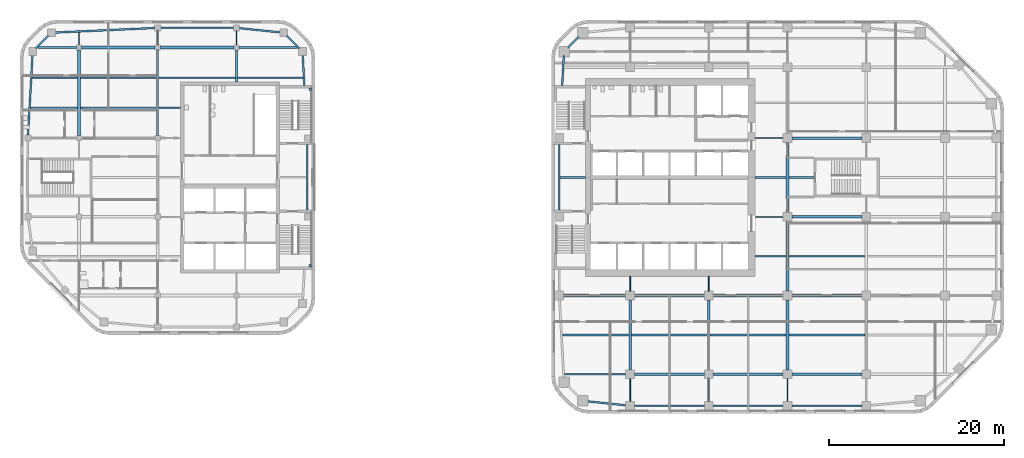
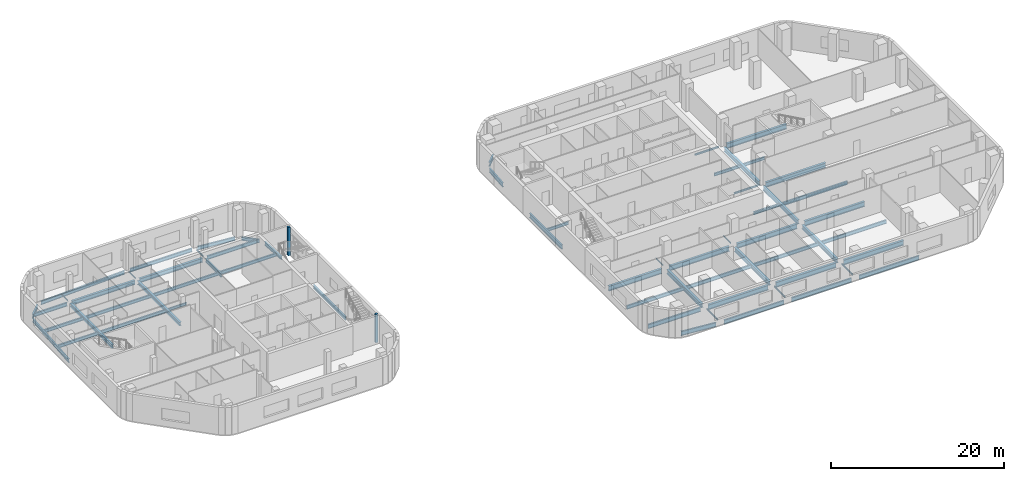
# One storey, part 2 of 15: 63 beams, 2 members.
"""IFC4 building model written with IfcOpenShell, lengths in metres."""

from ifc_helpers import new_model, si_unit, direction, frame, origin, origin_2d, place, context, subcontext, project, spatial, rectangle, i_section, extrude, material, material_profile, profile_set, type_object, element, save


model = new_model("IFC4")

# Units and contexts
model_context = context("Model", 3, precision=1e-05, world=origin(), true_north=direction((0.0, 1.0)))
body_context = subcontext(model_context, "Body", "Model", "MODEL_VIEW")
ifc_project = project(units=[si_unit("LENGTHUNIT", "METRE"), si_unit("AREAUNIT", "SQUARE_METRE"), si_unit("VOLUMEUNIT", "CUBIC_METRE"), si_unit("PLANEANGLEUNIT", "RADIAN"), si_unit("MASSUNIT", "GRAM", prefix="KILO")], contexts=[model_context])

# Site, building, storey
site_placement = place(None, origin())
site = spatial("IfcSite", under=ifc_project, at=site_placement, CompositionType="ELEMENT")
building_placement = place(site_placement, origin())
building = spatial("IfcBuilding", under=site, at=building_placement, Name="Cinnabar Reach Civic Tower", CompositionType="ELEMENT")
storey_placement = place(building_placement, frame((0.0, 0.0, 120.0)))
storey = spatial("IfcBuildingStorey", under=building, at=storey_placement, Name="L28", CompositionType="ELEMENT", Elevation=120.0)

# Beams
ifc_material_1 = material(Name="Steel Q355B", Category="steel")
ifc_material_profile_1 = material_profile(ifc_material_1, i_section(OverallWidth=0.3, OverallDepth=0.488, WebThickness=0.011, FlangeThickness=0.018, FilletRadius=0.016, at=origin_2d()), Name="HM488x300x11x18")
ifc_profile_set_1 = profile_set([ifc_material_profile_1], Name="Steel Q355B")
beam_type_1 = type_object("IfcBeamType", Name="HM488x300x11x18 beam R 120", PredefinedType="BEAM", material=ifc_profile_set_1)
for number, where, z_axis, x_axis, name in (
    (1, (-54.0, 36.302, -0.394), (0.0, 1.0, 0.0), (-1.0, 0.0, 0.0), "Girder T2 L28 4"),
    (2, (-45.0, 36.302, -0.394), (0.0, 1.0, 0.0), (-1.0, 0.0, 0.0), "Girder T2 L28 9"),
):
    element("IfcBeam", number, at=place(storey_placement, frame(where, z_axis=z_axis, x_axis=x_axis)), inside=storey, type_object=beam_type_1, Name=name, PredefinedType="BEAM", context=body_context, shape_type="SweptSolid", body=[
        extrude(i_section(OverallWidth=0.3, OverallDepth=0.488, WebThickness=0.011, FlangeThickness=0.018, FilletRadius=0.016, at=origin_2d()), origin(), (0.0, 0.0, 1.0), 9.746),
    ])
ifc_material_profile_2 = material_profile(ifc_material_1, i_section(OverallWidth=0.3, OverallDepth=0.588, WebThickness=0.012, FlangeThickness=0.02, FilletRadius=0.016, at=origin_2d()), Name="HM588x300x12x20")
ifc_profile_set_2 = profile_set([ifc_material_profile_2], Name="Steel Q355B")
beam_type_2 = type_object("IfcBeamType", Name="HM588x300x12x20 beam R 120", PredefinedType="BEAM", material=ifc_profile_set_2)
for number, where, z_axis, x_axis, name in (
    (3, (-53.698, 46.35, -0.444), (1.0, 0.0, 0.0), (0.0, 1.0, 0.0), "Girder T2 L28 11"),
    (4, (-44.698, 46.35, -0.444), (1.0, 0.0, 0.0), (0.0, 1.0, 0.0), "Girder T2 L28 12"),
):
    element("IfcBeam", number, at=place(storey_placement, frame(where, z_axis=z_axis, x_axis=x_axis)), inside=storey, type_object=beam_type_2, Name=name, PredefinedType="BEAM", context=body_context, shape_type="SweptSolid", body=[
        extrude(i_section(OverallWidth=0.3, OverallDepth=0.588, WebThickness=0.012, FlangeThickness=0.02, FilletRadius=0.016, at=origin_2d()), origin(), (0.0, 0.0, 1.0), 8.396),
    ])
ifc_material_profile_3 = material_profile(ifc_material_1, i_section(OverallWidth=0.302, OverallDepth=0.594, WebThickness=0.014, FlangeThickness=0.023, FilletRadius=0.016, at=origin_2d()), Name="HM594x302x14x23")
ifc_profile_set_3 = profile_set([ifc_material_profile_3], Name="Steel Q355B")
beam_type_3 = type_object("IfcBeamType", Name="HM594x302x14x23 beam R 180", PredefinedType="BEAM", material=ifc_profile_set_3)
for number, where, z_axis, x_axis, name in (
    (5, (9.0, 9.502, -0.447), (0.0, 1.0, 0.0), (-1.0, 0.0, 0.0), "Girder T1 L28 2"),
    (6, (18.0, 9.502, -0.447), (0.0, 1.0, 0.0), (-1.0, 0.0, 0.0), "Girder T1 L28 6"),
    (7, (27.0, 9.502, -0.447), (0.0, 1.0, 0.0), (-1.0, 0.0, 0.0), "Girder T1 L28 10"),
    (8, (27.0, 18.502, -0.447), (0.0, 1.0, 0.0), (-1.0, 0.0, 0.0), "Girder T1 L28 11"),
    (9, (27.0, 27.502, -0.447), (0.0, 1.0, 0.0), (-1.0, 0.0, 0.0), "Girder T1 L28 12"),
):
    element("IfcBeam", number, at=place(storey_placement, frame(where, z_axis=z_axis, x_axis=x_axis)), inside=storey, type_object=beam_type_3, Name=name, PredefinedType="BEAM", context=body_context, shape_type="SweptSolid", body=[
        extrude(i_section(OverallWidth=0.302, OverallDepth=0.594, WebThickness=0.014, FlangeThickness=0.023, FilletRadius=0.016, at=origin_2d()), origin(), (0.0, 0.0, 1.0), 7.996),
    ])
ifc_material_profile_4 = material_profile(ifc_material_1, i_section(OverallWidth=0.099, OverallDepth=0.198, WebThickness=0.0045, FlangeThickness=0.007, FilletRadius=0.013, at=origin_2d()), Name="HN200x100x5.5x8")
ifc_profile_set_4 = profile_set([ifc_material_profile_4], Name="Steel Q355B")
beam_type_4 = type_object("IfcBeamType", Name="HN200x100x5.5x8 beam R 120", PredefinedType="BEAM", material=ifc_profile_set_4)
beam_1_placement = place(storey_placement, frame((-54.0, 46.652, -0.249), z_axis=(0.0, 1.0, 0.0), x_axis=(-1.0, 0.0, 0.0)))
element("IfcBeam", 10, at=beam_1_placement, inside=storey, type_object=beam_type_4, Name="Girder T2 L28 5", PredefinedType="BEAM", context=body_context, shape_type="SweptSolid", body=[
    extrude(i_section(OverallWidth=0.099, OverallDepth=0.198, WebThickness=0.0045, FlangeThickness=0.007, FilletRadius=0.013, at=origin_2d()), origin(), (0.0, 0.0, 1.0), 1.4361),
])
for number, where, z_axis, x_axis, name in (
    (11, (-45.0, 46.652, -0.249), (0.0, 1.0, 0.0), (-1.0, 0.0, 0.0), "Girder T2 L28 10"),
    (12, (-36.0, 46.652, -0.249), (0.0, 1.0, 0.0), (-1.0, 0.0, 0.0), "Girder T2 L28 14"),
):
    element("IfcBeam", number, at=place(storey_placement, frame(where, z_axis=z_axis, x_axis=x_axis)), inside=storey, type_object=beam_type_4, Name=name, PredefinedType="BEAM", context=body_context, shape_type="SweptSolid", body=[
        extrude(i_section(OverallWidth=0.099, OverallDepth=0.198, WebThickness=0.0045, FlangeThickness=0.007, FilletRadius=0.013, at=origin_2d()), origin(), (0.0, 0.0, 1.0), 1.596),
    ])
ifc_material_profile_5 = material_profile(ifc_material_1, i_section(OverallWidth=0.099, OverallDepth=0.198, WebThickness=0.0045, FlangeThickness=0.007, FilletRadius=0.013, at=origin_2d()), Name="HN200x100x5.5x8")
ifc_profile_set_5 = profile_set([ifc_material_profile_5], Name="Steel Q355B")
beam_type_5 = type_object("IfcBeamType", Name="HN200x100x5.5x8 beam R 180", PredefinedType="BEAM", material=ifc_profile_set_5)
beam_2_placement = place(storey_placement, frame((9.0, 5.902, -0.249), z_axis=(0.0, 1.0, 0.0), x_axis=(-1.0, 0.0, 0.0)))
element("IfcBeam", 13, at=beam_2_placement, inside=storey, type_object=beam_type_5, Name="Girder T1 L28 1", PredefinedType="BEAM", context=body_context, shape_type="SweptSolid", body=[
    extrude(i_section(OverallWidth=0.099, OverallDepth=0.198, WebThickness=0.0045, FlangeThickness=0.007, FilletRadius=0.013, at=origin_2d()), origin(), (0.0, 0.0, 1.0), 2.596),
])
beam_3_placement = place(storey_placement, frame((9.0, 18.502, -0.249), z_axis=(0.0, 1.0, 0.0), x_axis=(-1.0, 0.0, 0.0)))
element("IfcBeam", 14, at=beam_3_placement, inside=storey, type_object=beam_type_5, Name="Girder T1 L28 3", PredefinedType="BEAM", context=body_context, shape_type="SweptSolid", body=[
    extrude(i_section(OverallWidth=0.099, OverallDepth=0.198, WebThickness=0.0045, FlangeThickness=0.007, FilletRadius=0.013, at=origin_2d()), origin(), (0.0, 0.0, 1.0), 1.696),
])
beam_4_placement = place(storey_placement, frame((18.0, 5.902, -0.249), z_axis=(0.0, 1.0, 0.0), x_axis=(-1.0, 0.0, 0.0)))
element("IfcBeam", 15, at=beam_4_placement, inside=storey, type_object=beam_type_5, Name="Girder T1 L28 5", PredefinedType="BEAM", context=body_context, shape_type="SweptSolid", body=[
    extrude(i_section(OverallWidth=0.099, OverallDepth=0.198, WebThickness=0.0045, FlangeThickness=0.007, FilletRadius=0.013, at=origin_2d()), origin(), (0.0, 0.0, 1.0), 2.596),
])
beam_5_placement = place(storey_placement, frame((18.0, 18.502, -0.249), z_axis=(0.0, 1.0, 0.0), x_axis=(-1.0, 0.0, 0.0)))
element("IfcBeam", 16, at=beam_5_placement, inside=storey, type_object=beam_type_5, Name="Girder T1 L28 7", PredefinedType="BEAM", context=body_context, shape_type="SweptSolid", body=[
    extrude(i_section(OverallWidth=0.099, OverallDepth=0.198, WebThickness=0.0045, FlangeThickness=0.007, FilletRadius=0.013, at=origin_2d()), origin(), (0.0, 0.0, 1.0), 1.696),
])
beam_6_placement = place(storey_placement, frame((27.0, 5.902, -0.249), z_axis=(0.0, 1.0, 0.0), x_axis=(-1.0, 0.0, 0.0)))
element("IfcBeam", 17, at=beam_6_placement, inside=storey, type_object=beam_type_5, Name="Girder T1 L28 9", PredefinedType="BEAM", context=body_context, shape_type="SweptSolid", body=[
    extrude(i_section(OverallWidth=0.099, OverallDepth=0.198, WebThickness=0.0045, FlangeThickness=0.007, FilletRadius=0.013, at=origin_2d()), origin(), (0.0, 0.0, 1.0), 2.596),
])
ifc_material_profile_6 = material_profile(ifc_material_1, i_section(OverallWidth=0.124, OverallDepth=0.248, WebThickness=0.005, FlangeThickness=0.008, FilletRadius=0.013, at=origin_2d()), Name="HN250x125x6x9")
ifc_profile_set_6 = profile_set([ifc_material_profile_6], Name="Steel Q355B")
beam_type_6 = type_object("IfcBeamType", Name="HN250x125x6x9 beam R 180", PredefinedType="BEAM", material=ifc_profile_set_6)
for number, where, z_axis, x_axis, name in (
    (18, (23.302, 27.0, -0.274), (1.0, 0.0, 0.0), (0.0, 1.0, 0.0), "Girder T1 L28 12"),
    (19, (23.302, 36.0, -0.274), (1.0, 0.0, 0.0), (0.0, 1.0, 0.0), "Girder T1 L28 16"),
):
    element("IfcBeam", number, at=place(storey_placement, frame(where, z_axis=z_axis, x_axis=x_axis)), inside=storey, type_object=beam_type_6, Name=name, PredefinedType="BEAM", context=body_context, shape_type="SweptSolid", body=[
        extrude(i_section(OverallWidth=0.124, OverallDepth=0.248, WebThickness=0.005, FlangeThickness=0.008, FilletRadius=0.013, at=origin_2d()), origin(), (0.0, 0.0, 1.0), 3.196),
    ])
ifc_material_profile_7 = material_profile(ifc_material_1, i_section(OverallWidth=0.175, OverallDepth=0.35, WebThickness=0.007, FlangeThickness=0.011, FilletRadius=0.013, at=origin_2d()), Name="HN350x175x7x11")
ifc_profile_set_7 = profile_set([ifc_material_profile_7], Name="Steel Q355B")
beam_type_7 = type_object("IfcBeamType", Name="HN350x175x7x11 beam R 120", PredefinedType="BEAM", material=ifc_profile_set_7)
beam_7_placement = place(storey_placement, frame((-44.848, 39.45, -0.325), z_axis=(1.0, 0.0, 0.0), x_axis=(0.0, 1.0, 0.0)))
element("IfcBeam", 20, at=beam_7_placement, inside=storey, type_object=beam_type_7, Name="Secondary beam T2 L28 9", PredefinedType="BEAM", context=body_context, shape_type="SweptSolid", body=[
    extrude(i_section(OverallWidth=0.175, OverallDepth=0.35, WebThickness=0.007, FlangeThickness=0.011, FilletRadius=0.013, at=origin_2d()), origin(), (0.0, 0.0, 1.0), 2.446),
])
ifc_material_profile_8 = material_profile(ifc_material_1, i_section(OverallWidth=0.199, OverallDepth=0.396, WebThickness=0.007, FlangeThickness=0.011, FilletRadius=0.013, at=origin_2d()), Name="HN396x199x7x11")
ifc_profile_set_8 = profile_set([ifc_material_profile_8], Name="Steel Q355B")
beam_type_8 = type_object("IfcBeamType", Name="HN396x199x7x11 beam R 180", PredefinedType="BEAM", material=ifc_profile_set_8)
beam_8_placement = place(storey_placement, frame((23.302, 22.5, -0.348), z_axis=(1.0, 0.0, 0.0), x_axis=(0.0, 1.0, 0.0)))
element("IfcBeam", 21, at=beam_8_placement, inside=storey, type_object=beam_type_8, Name="Secondary beam T1 L28 7", PredefinedType="BEAM", context=body_context, shape_type="SweptSolid", body=[
    extrude(i_section(OverallWidth=0.199, OverallDepth=0.396, WebThickness=0.007, FlangeThickness=0.011, FilletRadius=0.013, at=origin_2d()), origin(), (0.0, 0.0, 1.0), 3.545),
])
beam_9_placement = place(storey_placement, frame((1.002, 31.5, -0.348), z_axis=(1.0, 0.0, 0.0), x_axis=(0.0, 1.0, 0.0)))
element("IfcBeam", 22, at=beam_9_placement, inside=storey, type_object=beam_type_8, Name="Secondary beam T1 L28 11", PredefinedType="BEAM", context=body_context, shape_type="SweptSolid", body=[
    extrude(i_section(OverallWidth=0.199, OverallDepth=0.396, WebThickness=0.007, FlangeThickness=0.011, FilletRadius=0.013, at=origin_2d()), origin(), (0.0, 0.0, 1.0), 2.896),
])
beam_10_placement = place(storey_placement, frame((23.302, 31.5, -0.348), z_axis=(1.0, 0.0, 0.0), x_axis=(0.0, 1.0, 0.0)))
element("IfcBeam", 23, at=beam_10_placement, inside=storey, type_object=beam_type_8, Name="Secondary beam T1 L28 12", PredefinedType="BEAM", context=body_context, shape_type="SweptSolid", body=[
    extrude(i_section(OverallWidth=0.199, OverallDepth=0.396, WebThickness=0.007, FlangeThickness=0.011, FilletRadius=0.013, at=origin_2d()), origin(), (0.0, 0.0, 1.0), 3.545),
])
beam_11_placement = place(storey_placement, frame((27.153, 31.5, -0.348), z_axis=(1.0, 0.0, 0.0), x_axis=(0.0, 1.0, 0.0)))
element("IfcBeam", 24, at=beam_11_placement, inside=storey, type_object=beam_type_8, Name="Secondary beam T1 L28 13", PredefinedType="BEAM", context=body_context, shape_type="SweptSolid", body=[
    extrude(i_section(OverallWidth=0.199, OverallDepth=0.396, WebThickness=0.007, FlangeThickness=0.011, FilletRadius=0.013, at=origin_2d()), origin(), (0.0, 0.0, 1.0), 2.845),
])
ifc_material_profile_9 = material_profile(ifc_material_1, i_section(OverallWidth=0.2, OverallDepth=0.45, WebThickness=0.009, FlangeThickness=0.014, FilletRadius=0.016, at=origin_2d()), Name="HN450x200x9x14")
ifc_profile_set_9 = profile_set([ifc_material_profile_9], Name="Steel Q355B")
beam_type_9 = type_object("IfcBeamType", Name="HN450x200x9x14 beam R 120", PredefinedType="BEAM", material=ifc_profile_set_9)
beam_12_placement = place(storey_placement, frame((-59.5551, 39.45, -0.375), z_axis=(1.0, 0.0, 0.0), x_axis=(0.0, 1.0, 0.0)))
element("IfcBeam", 25, at=beam_12_placement, inside=storey, type_object=beam_type_9, Name="Secondary beam T2 L28 7", PredefinedType="BEAM", context=body_context, shape_type="SweptSolid", body=[
    extrude(i_section(OverallWidth=0.2, OverallDepth=0.45, WebThickness=0.009, FlangeThickness=0.014, FilletRadius=0.016, at=origin_2d()), origin(), (0.0, 0.0, 1.0), 5.4031),
])
beam_13_placement = place(storey_placement, frame((-53.848, 39.45, -0.375), z_axis=(1.0, 0.0, 0.0), x_axis=(0.0, 1.0, 0.0)))
element("IfcBeam", 26, at=beam_13_placement, inside=storey, type_object=beam_type_9, Name="Secondary beam T2 L28 8", PredefinedType="BEAM", context=body_context, shape_type="SweptSolid", body=[
    extrude(i_section(OverallWidth=0.2, OverallDepth=0.45, WebThickness=0.009, FlangeThickness=0.014, FilletRadius=0.016, at=origin_2d()), origin(), (0.0, 0.0, 1.0), 8.696),
])
beam_14_placement = place(storey_placement, frame((-59.3623, 42.9, -0.375), z_axis=(1.0, 0.0, 0.0), x_axis=(0.0, 1.0, 0.0)))
element("IfcBeam", 27, at=beam_14_placement, inside=storey, type_object=beam_type_9, Name="Secondary beam T2 L28 10", PredefinedType="BEAM", context=body_context, shape_type="SweptSolid", body=[
    extrude(i_section(OverallWidth=0.2, OverallDepth=0.45, WebThickness=0.009, FlangeThickness=0.014, FilletRadius=0.016, at=origin_2d()), origin(), (0.0, 0.0, 1.0), 5.2103),
])
beam_15_placement = place(storey_placement, frame((-53.848, 42.9, -0.375), z_axis=(1.0, 0.0, 0.0), x_axis=(0.0, 1.0, 0.0)))
element("IfcBeam", 28, at=beam_15_placement, inside=storey, type_object=beam_type_9, Name="Secondary beam T2 L28 11", PredefinedType="BEAM", context=body_context, shape_type="SweptSolid", body=[
    extrude(i_section(OverallWidth=0.2, OverallDepth=0.45, WebThickness=0.009, FlangeThickness=0.014, FilletRadius=0.016, at=origin_2d()), origin(), (0.0, 0.0, 1.0), 8.696),
])
beam_16_placement = place(storey_placement, frame((-44.848, 42.9, -0.375), z_axis=(1.0, 0.0, 0.0), x_axis=(0.0, 1.0, 0.0)))
element("IfcBeam", 29, at=beam_16_placement, inside=storey, type_object=beam_type_9, Name="Secondary beam T2 L28 12", PredefinedType="BEAM", context=body_context, shape_type="SweptSolid", body=[
    extrude(i_section(OverallWidth=0.2, OverallDepth=0.45, WebThickness=0.009, FlangeThickness=0.014, FilletRadius=0.016, at=origin_2d()), origin(), (0.0, 0.0, 1.0), 8.746),
])
beam_17_placement = place(storey_placement, frame((-35.898, 42.9, -0.375), z_axis=(1.0, 0.0, 0.0), x_axis=(0.0, 1.0, 0.0)))
element("IfcBeam", 30, at=beam_17_placement, inside=storey, type_object=beam_type_9, Name="Secondary beam T2 L28 13", PredefinedType="BEAM", context=body_context, shape_type="SweptSolid", body=[
    extrude(i_section(OverallWidth=0.2, OverallDepth=0.45, WebThickness=0.009, FlangeThickness=0.014, FilletRadius=0.016, at=origin_2d()), origin(), (0.0, 0.0, 1.0), 7.5103),
])
ifc_material_profile_10 = material_profile(ifc_material_1, i_section(OverallWidth=0.199, OverallDepth=0.496, WebThickness=0.009, FlangeThickness=0.014, FilletRadius=0.016, at=origin_2d()), Name="HN496x199x9x14")
ifc_profile_set_10 = profile_set([ifc_material_profile_10], Name="Steel Q355B")
beam_type_10 = type_object("IfcBeamType", Name="HN496x199x9x14 beam R 180", PredefinedType="BEAM", material=ifc_profile_set_10)
beam_18_placement = place(storey_placement, frame((1.2536, 13.5, -0.398), z_axis=(1.0, 0.0, 0.0), x_axis=(0.0, 1.0, 0.0)))
element("IfcBeam", 31, at=beam_18_placement, inside=storey, type_object=beam_type_10, Name="Secondary beam T1 L28 1", PredefinedType="BEAM", context=body_context, shape_type="SweptSolid", body=[
    extrude(i_section(OverallWidth=0.199, OverallDepth=0.496, WebThickness=0.009, FlangeThickness=0.014, FilletRadius=0.016, at=origin_2d()), origin(), (0.0, 0.0, 1.0), 7.5934),
])
for number, where, z_axis, x_axis, name in (
    (32, (9.153, 13.5, -0.398), (1.0, 0.0, 0.0), (0.0, 1.0, 0.0), "Secondary beam T1 L28 2"),
    (33, (18.153, 13.5, -0.398), (1.0, 0.0, 0.0), (0.0, 1.0, 0.0), "Secondary beam T1 L28 3"),
    (34, (27.153, 13.5, -0.398), (1.0, 0.0, 0.0), (0.0, 1.0, 0.0), "Secondary beam T1 L28 4"),
    (35, (27.153, 22.5, -0.398), (1.0, 0.0, 0.0), (0.0, 1.0, 0.0), "Secondary beam T1 L28 8"),
):
    element("IfcBeam", number, at=place(storey_placement, frame(where, z_axis=z_axis, x_axis=x_axis)), inside=storey, type_object=beam_type_10, Name=name, PredefinedType="BEAM", context=body_context, shape_type="SweptSolid", body=[
        extrude(i_section(OverallWidth=0.199, OverallDepth=0.496, WebThickness=0.009, FlangeThickness=0.014, FilletRadius=0.016, at=origin_2d()), origin(), (0.0, 0.0, 1.0), 8.694),
    ])
ifc_material_profile_11 = material_profile(ifc_material_1, i_section(OverallWidth=0.2, OverallDepth=0.5, WebThickness=0.01, FlangeThickness=0.016, FilletRadius=0.016, at=origin_2d()), Name="HN500x200x10x16")
ifc_profile_set_11 = profile_set([ifc_material_profile_11], Name="Steel Q355B")
beam_type_11 = type_object("IfcBeamType", Name="HN500x200x10x16 beam R 120", PredefinedType="BEAM", material=ifc_profile_set_11)
beam_19_placement = place(storey_placement, frame((-27.9, 27.752, -0.4), z_axis=(0.0, 1.0, 0.0), x_axis=(-1.0, 0.0, 0.0)))
element("IfcBeam", 36, at=beam_19_placement, inside=storey, type_object=beam_type_11, Name="Edge beam T2 L28 6", PredefinedType="BEAM", context=body_context, shape_type="SweptSolid", body=[
    extrude(i_section(OverallWidth=0.2, OverallDepth=0.5, WebThickness=0.01, FlangeThickness=0.016, FilletRadius=0.016, at=origin_2d()), origin(), (0.0, 0.0, 1.0), 7.496),
])
beam_20_placement = place(storey_placement, frame((-28.2354, 42.002, -0.4), z_axis=(-0.055775670196, 0.99844332569, 0.0), x_axis=(-0.99844332569, -0.055775670196, 0.0)))
element("IfcBeam", 37, at=beam_20_placement, inside=storey, type_object=beam_type_11, Name="Edge beam T2 L28 7", PredefinedType="BEAM", context=body_context, shape_type="SweptSolid", body=[
    extrude(i_section(OverallWidth=0.2, OverallDepth=0.5, WebThickness=0.01, FlangeThickness=0.016, FilletRadius=0.016, at=origin_2d()), origin(), (0.0, 0.0, 1.0), 3.5697),
])
beam_21_placement = place(storey_placement, frame((-28.7851, 46.2301, -0.4), z_axis=(-0.707106781187, 0.707106781187, 0.0), x_axis=(-0.707106781187, -0.707106781187, 0.0)))
element("IfcBeam", 38, at=beam_21_placement, inside=storey, type_object=beam_type_11, Name="Edge beam T2 L28 8", PredefinedType="BEAM", context=body_context, shape_type="SweptSolid", body=[
    extrude(i_section(OverallWidth=0.2, OverallDepth=0.5, WebThickness=0.01, FlangeThickness=0.016, FilletRadius=0.016, at=origin_2d()), origin(), (0.0, 0.0, 1.0), 2.0998),
])
beam_22_placement = place(storey_placement, frame((-30.9339, 48.0809, -0.4), z_axis=(-0.994792087401, 0.101924986363, 0.0), x_axis=(-0.101924986363, -0.994792087401, 0.0)))
element("IfcBeam", 39, at=beam_22_placement, inside=storey, type_object=beam_type_11, Name="Edge beam T2 L28 9", PredefinedType="BEAM", context=body_context, shape_type="SweptSolid", body=[
    extrude(i_section(OverallWidth=0.2, OverallDepth=0.5, WebThickness=0.01, FlangeThickness=0.016, FilletRadius=0.016, at=origin_2d()), origin(), (0.0, 0.0, 1.0), 4.7388),
])
beam_23_placement = place(storey_placement, frame((-36.352, 48.6, -0.4), z_axis=(-1.0, 0.0, 0.0), x_axis=(0.0, -1.0, 0.0)))
element("IfcBeam", 40, at=beam_23_placement, inside=storey, type_object=beam_type_11, Name="Edge beam T2 L28 10", PredefinedType="BEAM", context=body_context, shape_type="SweptSolid", body=[
    extrude(i_section(OverallWidth=0.2, OverallDepth=0.5, WebThickness=0.01, FlangeThickness=0.016, FilletRadius=0.016, at=origin_2d()), origin(), (0.0, 0.0, 1.0), 8.296),
])
beam_24_placement = place(storey_placement, frame((-45.352, 48.584, -0.4), z_axis=(-0.998964961738, -0.045486319033, 0.0), x_axis=(0.045486319033, -0.998964961738, 0.0)))
element("IfcBeam", 41, at=beam_24_placement, inside=storey, type_object=beam_type_11, Name="Edge beam T2 L28 11", PredefinedType="BEAM", context=body_context, shape_type="SweptSolid", body=[
    extrude(i_section(OverallWidth=0.2, OverallDepth=0.5, WebThickness=0.01, FlangeThickness=0.016, FilletRadius=0.016, at=origin_2d()), origin(), (0.0, 0.0, 1.0), 11.476),
])
beam_25_placement = place(storey_placement, frame((-57.4801, 47.7149, -0.4), z_axis=(-0.707106781187, -0.707106781187, 0.0), x_axis=(0.707106781187, -0.707106781187, 0.0)))
element("IfcBeam", 42, at=beam_25_placement, inside=storey, type_object=beam_type_11, Name="Edge beam T2 L28 12", PredefinedType="BEAM", context=body_context, shape_type="SweptSolid", body=[
    extrude(i_section(OverallWidth=0.2, OverallDepth=0.5, WebThickness=0.01, FlangeThickness=0.016, FilletRadius=0.016, at=origin_2d()), origin(), (0.0, 0.0, 1.0), 2.0998),
])
beam_26_placement = place(storey_placement, frame((-59.3155, 45.5661, -0.4), z_axis=(-0.055783895065, -0.998442866193, 0.0), x_axis=(0.998442866193, -0.055783895065, 0.0)))
element("IfcBeam", 43, at=beam_26_placement, inside=storey, type_object=beam_type_11, Name="Edge beam T2 L28 13", PredefinedType="BEAM", context=body_context, shape_type="SweptSolid", body=[
    extrude(i_section(OverallWidth=0.2, OverallDepth=0.5, WebThickness=0.01, FlangeThickness=0.016, FilletRadius=0.016, at=origin_2d()), origin(), (0.0, 0.0, 1.0), 9.2285),
])
beam_27_placement = place(storey_placement, frame((-58.7008, 46.35, -0.4), z_axis=(1.0, 0.0, 0.0), x_axis=(0.0, 1.0, 0.0)))
element("IfcBeam", 44, at=beam_27_placement, inside=storey, type_object=beam_type_11, Name="Girder T2 L28 10", PredefinedType="BEAM", context=body_context, shape_type="SweptSolid", body=[
    extrude(i_section(OverallWidth=0.2, OverallDepth=0.5, WebThickness=0.01, FlangeThickness=0.016, FilletRadius=0.016, at=origin_2d()), origin(), (0.0, 0.0, 1.0), 4.3988),
])
beam_28_placement = place(storey_placement, frame((-35.698, 46.35, -0.4), z_axis=(1.0, 0.0, 0.0), x_axis=(0.0, 1.0, 0.0)))
element("IfcBeam", 45, at=beam_28_placement, inside=storey, type_object=beam_type_11, Name="Girder T2 L28 13", PredefinedType="BEAM", context=body_context, shape_type="SweptSolid", body=[
    extrude(i_section(OverallWidth=0.2, OverallDepth=0.5, WebThickness=0.01, FlangeThickness=0.016, FilletRadius=0.016, at=origin_2d()), origin(), (0.0, 0.0, 1.0), 6.6488),
])
beam_29_placement = place(storey_placement, frame((-36.0, 42.402, -0.4), z_axis=(0.0, 1.0, 0.0), x_axis=(-1.0, 0.0, 0.0)))
element("IfcBeam", 46, at=beam_29_placement, inside=storey, type_object=beam_type_11, Name="Girder T2 L28 13", PredefinedType="BEAM", context=body_context, shape_type="SweptSolid", body=[
    extrude(i_section(OverallWidth=0.2, OverallDepth=0.5, WebThickness=0.01, FlangeThickness=0.016, FilletRadius=0.016, at=origin_2d()), origin(), (0.0, 0.0, 1.0), 3.646),
])
ifc_material_profile_12 = material_profile(ifc_material_1, i_section(OverallWidth=0.199, OverallDepth=0.596, WebThickness=0.01, FlangeThickness=0.015, FilletRadius=0.016, at=origin_2d()), Name="HN596x199x10x15")
ifc_profile_set_12 = profile_set([ifc_material_profile_12], Name="Steel Q355B")
beam_type_12 = type_object("IfcBeamType", Name="HN596x199x10x15 beam R 180", PredefinedType="BEAM", material=ifc_profile_set_12)
beam_30_placement = place(storey_placement, frame((1.5051, 9.0, -0.448), z_axis=(1.0, 0.0, 0.0), x_axis=(0.0, 1.0, 0.0)))
element("IfcBeam", 47, at=beam_30_placement, inside=storey, type_object=beam_type_12, Name="Girder T1 L28 1", PredefinedType="BEAM", context=body_context, shape_type="SweptSolid", body=[
    extrude(i_section(OverallWidth=0.199, OverallDepth=0.596, WebThickness=0.01, FlangeThickness=0.015, FilletRadius=0.016, at=origin_2d()), origin(), (0.0, 0.0, 1.0), 6.9929),
])
ifc_material_profile_13 = material_profile(ifc_material_1, i_section(OverallWidth=0.2, OverallDepth=0.6, WebThickness=0.011, FlangeThickness=0.017, FilletRadius=0.016, at=origin_2d()), Name="HN600x200x11x17")
ifc_profile_set_13 = profile_set([ifc_material_profile_13], Name="Steel Q355B")
beam_type_13 = type_object("IfcBeamType", Name="HN600x200x11x17 beam R 180", PredefinedType="BEAM", material=ifc_profile_set_13)
beam_31_placement = place(storey_placement, frame((4.0839, 5.9037, -0.45), z_axis=(0.994791228755, -0.101933366432, 0.0), x_axis=(0.101933366432, 0.994791228755, 0.0)))
element("IfcBeam", 48, at=beam_31_placement, inside=storey, type_object=beam_type_13, Name="Edge beam T1 L28 1", PredefinedType="BEAM", context=body_context, shape_type="SweptSolid", body=[
    extrude(i_section(OverallWidth=0.2, OverallDepth=0.6, WebThickness=0.011, FlangeThickness=0.017, FilletRadius=0.016, at=origin_2d()), origin(), (0.0, 0.0, 1.0), 4.4372),
])
for number, where, z_axis, x_axis, name in (
    (49, (9.502, 5.4, -0.45), (1.0, 0.0, 0.0), (0.0, 1.0, 0.0), "Edge beam T1 L28 2"),
    (50, (18.502, 5.4, -0.45), (1.0, 0.0, 0.0), (0.0, 1.0, 0.0), "Edge beam T1 L28 3"),
    (51, (27.502, 5.4, -0.45), (1.0, 0.0, 0.0), (0.0, 1.0, 0.0), "Edge beam T1 L28 4"),
):
    element("IfcBeam", number, at=place(storey_placement, frame(where, z_axis=z_axis, x_axis=x_axis)), inside=storey, type_object=beam_type_13, Name=name, PredefinedType="BEAM", context=body_context, shape_type="SweptSolid", body=[
        extrude(i_section(OverallWidth=0.2, OverallDepth=0.6, WebThickness=0.011, FlangeThickness=0.017, FilletRadius=0.016, at=origin_2d()), origin(), (0.0, 0.0, 1.0), 7.996),
    ])
beam_32_placement = place(storey_placement, frame((3.1199, 47.5649, -0.45), z_axis=(-0.707106781187, -0.707106781187, 0.0), x_axis=(0.707106781187, -0.707106781187, 0.0)))
element("IfcBeam", 52, at=beam_32_placement, inside=storey, type_object=beam_type_13, Name="Edge beam T1 L28 19", PredefinedType="BEAM", context=body_context, shape_type="SweptSolid", body=[
    extrude(i_section(OverallWidth=0.2, OverallDepth=0.6, WebThickness=0.011, FlangeThickness=0.017, FilletRadius=0.016, at=origin_2d()), origin(), (0.0, 0.0, 1.0), 1.6756),
])
beam_33_placement = place(storey_placement, frame((1.4262, 45.4161, -0.45), z_axis=(-0.055798816608, -0.998442032401, 0.0), x_axis=(0.998442032401, -0.055798816608, 0.0)))
element("IfcBeam", 53, at=beam_33_placement, inside=storey, type_object=beam_type_13, Name="Edge beam T1 L28 20", PredefinedType="BEAM", context=body_context, shape_type="SweptSolid", body=[
    extrude(i_section(OverallWidth=0.2, OverallDepth=0.6, WebThickness=0.011, FlangeThickness=0.017, FilletRadius=0.016, at=origin_2d()), origin(), (0.0, 0.0, 1.0), 3.4194),
])
beam_34_placement = place(storey_placement, frame((0.9, 35.248, -0.45), z_axis=(0.0, -1.0, 0.0), x_axis=(1.0, 0.0, 0.0)))
element("IfcBeam", 54, at=beam_34_placement, inside=storey, type_object=beam_type_13, Name="Edge beam T1 L28 21", PredefinedType="BEAM", context=body_context, shape_type="SweptSolid", body=[
    extrude(i_section(OverallWidth=0.2, OverallDepth=0.6, WebThickness=0.011, FlangeThickness=0.017, FilletRadius=0.016, at=origin_2d()), origin(), (0.0, 0.0, 1.0), 7.496),
])
ifc_material_profile_14 = material_profile(ifc_material_1, i_section(OverallWidth=0.3, OverallDepth=0.692, WebThickness=0.013, FlangeThickness=0.02, FilletRadius=0.016, at=origin_2d()), Name="HN692x300x13x20")
ifc_profile_set_14 = profile_set([ifc_material_profile_14], Name="Steel Q355B")
beam_type_14 = type_object("IfcBeamType", Name="HN692x300x13x20 beam R 180", PredefinedType="BEAM", material=ifc_profile_set_14)
for number, where, z_axis, x_axis, name in (
    (55, (9.502, 9.0, -0.496), (1.0, 0.0, 0.0), (0.0, 1.0, 0.0), "Girder T1 L28 2"),
    (56, (18.502, 9.0, -0.496), (1.0, 0.0, 0.0), (0.0, 1.0, 0.0), "Girder T1 L28 3"),
    (57, (27.502, 9.0, -0.496), (1.0, 0.0, 0.0), (0.0, 1.0, 0.0), "Girder T1 L28 4"),
):
    element("IfcBeam", number, at=place(storey_placement, frame(where, z_axis=z_axis, x_axis=x_axis)), inside=storey, type_object=beam_type_14, Name=name, PredefinedType="BEAM", context=body_context, shape_type="SweptSolid", body=[
        extrude(i_section(OverallWidth=0.3, OverallDepth=0.692, WebThickness=0.013, FlangeThickness=0.02, FilletRadius=0.016, at=origin_2d()), origin(), (0.0, 0.0, 1.0), 7.996),
    ])
beam_35_placement = place(storey_placement, frame((1.402, 18.0, -0.496), z_axis=(1.0, 0.0, 0.0), x_axis=(0.0, 1.0, 0.0)))
element("IfcBeam", 58, at=beam_35_placement, inside=storey, type_object=beam_type_14, Name="Girder T1 L28 6", PredefinedType="BEAM", context=body_context, shape_type="SweptSolid", body=[
    extrude(i_section(OverallWidth=0.3, OverallDepth=0.692, WebThickness=0.013, FlangeThickness=0.02, FilletRadius=0.016, at=origin_2d()), origin(), (0.0, 0.0, 1.0), 7.096),
])
for number, where, z_axis, x_axis, name in (
    (59, (9.502, 18.0, -0.496), (1.0, 0.0, 0.0), (0.0, 1.0, 0.0), "Girder T1 L28 7"),
    (60, (18.502, 18.0, -0.496), (1.0, 0.0, 0.0), (0.0, 1.0, 0.0), "Girder T1 L28 8"),
    (61, (27.502, 18.0, -0.496), (1.0, 0.0, 0.0), (0.0, 1.0, 0.0), "Girder T1 L28 9"),
    (62, (27.502, 27.0, -0.496), (1.0, 0.0, 0.0), (0.0, 1.0, 0.0), "Girder T1 L28 13"),
    (63, (27.502, 36.0, -0.496), (1.0, 0.0, 0.0), (0.0, 1.0, 0.0), "Girder T1 L28 17"),
):
    element("IfcBeam", number, at=place(storey_placement, frame(where, z_axis=z_axis, x_axis=x_axis)), inside=storey, type_object=beam_type_14, Name=name, PredefinedType="BEAM", context=body_context, shape_type="SweptSolid", body=[
        extrude(i_section(OverallWidth=0.3, OverallDepth=0.692, WebThickness=0.013, FlangeThickness=0.02, FilletRadius=0.016, at=origin_2d()), origin(), (0.0, 0.0, 1.0), 7.996),
    ])

# Members
ifc_material_2 = material(Name="Concrete C40", Category="concrete")
ifc_material_profile_15 = material_profile(ifc_material_2, rectangle(XDim=0.3, YDim=0.3, at=origin_2d()), Name="C300")
ifc_profile_set_15 = profile_set([ifc_material_profile_15], Name="Concrete C40")
member_type = type_object("IfcMemberType", Name="T2 stair post 300", PredefinedType="STRUT", material=ifc_profile_set_15)
for number, where, z_axis, x_axis, name in (
    (64, (-27.55, 21.4, 0.0), (0.0, 0.0, 1.0), (1.0, 0.0, 0.0), "Stair post 1"),
    (65, (-27.55, 41.6, 0.0), (0.0, 0.0, 1.0), (1.0, 0.0, 0.0), "Stair post 2"),
):
    element("IfcMember", number, at=place(storey_placement, frame(where, z_axis=z_axis, x_axis=x_axis)), inside=storey, type_object=member_type, Name=name, PredefinedType="STRUT", context=body_context, shape_type="SweptSolid", body=[
        extrude(rectangle(XDim=0.3, YDim=0.3, at=origin_2d()), origin(), (0.0, 0.0, 1.0), 4.0),
    ])

save(model, "model.ifc")
